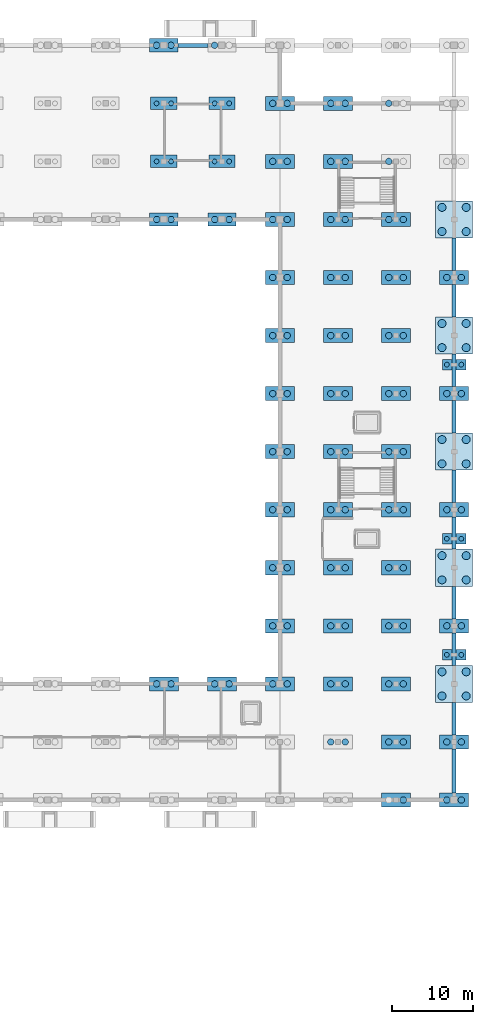
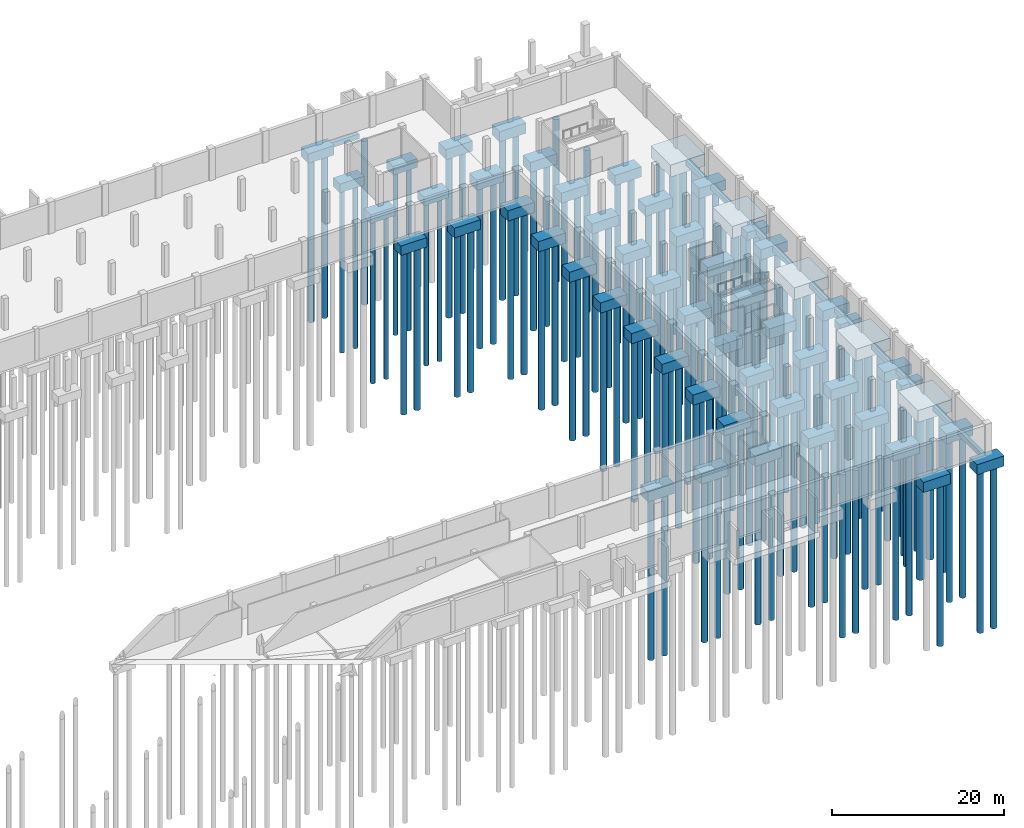
# One storey, part 5 of 18: 126 piles, 67 footings.
"""IFC4 building model written with IfcOpenShell, lengths in metres."""

from ifc_helpers import new_model, si_unit, direction, frame, origin, origin_2d, place, context, subcontext, project, spatial, rectangle, circle, extrude, material, material_profile, profile_set, type_object, element, save


model = new_model("IFC4")

# Units and contexts
model_context = context("Model", 3, precision=1e-05, world=origin(), true_north=direction((0.0, 1.0)))
body_context = subcontext(model_context, "Body", "Model", "MODEL_VIEW")
ifc_project = project(units=[si_unit("LENGTHUNIT", "METRE"), si_unit("AREAUNIT", "SQUARE_METRE"), si_unit("VOLUMEUNIT", "CUBIC_METRE"), si_unit("PLANEANGLEUNIT", "RADIAN"), si_unit("MASSUNIT", "GRAM", prefix="KILO")], contexts=[model_context])

# Site, building, storey
site_placement = place(None, origin())
site = spatial("IfcSite", under=ifc_project, at=site_placement, CompositionType="ELEMENT")
building_placement = place(site_placement, origin())
building = spatial("IfcBuilding", under=site, at=building_placement, Name="Kangsadwip Square Police Headquarters", CompositionType="ELEMENT")
storey_placement = place(building_placement, frame((0.0, 0.0, -4.5)))
storey = spatial("IfcBuildingStorey", under=building, at=storey_placement, Name="B1", CompositionType="ELEMENT", Elevation=-4.5)

# Piles
ifc_material_1 = material(Name="Concrete M30 (30 MPa)", Category="concrete")
ifc_material_profile_1 = material_profile(ifc_material_1, circle(Radius=0.5, at=origin_2d()), Name="PILE DIA 1000")
ifc_profile_set_1 = profile_set([ifc_material_profile_1], Name="Concrete M30 (30 MPa)")
pile_type_1 = type_object("IfcPileType", Name="BoredPileDia1000", PredefinedType="BORED", material=ifc_profile_set_1)
for number, where, z_axis, x_axis, name in (
    (1, (164.10009765625, 34.5, -2.050048828125), (0.0, 0.0, -1.0), (1.0, 0.0, 0.0), "Bored Pile PILE-B1-1641-0345"),
    (2, (164.10009765625, 37.5, -2.050048828125), (0.0, 0.0, -1.0), (1.0, 0.0, 0.0), "Bored Pile PILE-B1-1641-0375"),
    (3, (167.10009765625, 34.5, -2.050048828125), (0.0, 0.0, -1.0), (1.0, 0.0, 0.0), "Bored Pile PILE-B1-1671-0345"),
    (4, (167.10009765625, 37.5, -2.050048828125), (0.0, 0.0, -1.0), (1.0, 0.0, 0.0), "Bored Pile PILE-B1-1671-0375"),
    (5, (164.10009765625, 48.89990234375, -2.050048828125), (0.0, 0.0, -1.0), (1.0, 0.0, 0.0), "Bored Pile PILE-B1-1641-0489"),
    (6, (164.10009765625, 51.89990234375, -2.050048828125), (0.0, 0.0, -1.0), (1.0, 0.0, 0.0), "Bored Pile PILE-B1-1641-0519"),
    (7, (167.10009765625, 48.89990234375, -2.050048828125), (0.0, 0.0, -1.0), (1.0, 0.0, 0.0), "Bored Pile PILE-B1-1671-0489"),
    (8, (167.10009765625, 51.89990234375, -2.050048828125), (0.0, 0.0, -1.0), (1.0, 0.0, 0.0), "Bored Pile PILE-B1-1671-0519"),
    (9, (164.10009765625, 63.300048828125, -2.050048828125), (0.0, 0.0, -1.0), (1.0, 0.0, 0.0), "Bored Pile PILE-B1-1641-0633"),
    (10, (164.10009765625, 66.300048828125, -2.050048828125), (0.0, 0.0, -1.0), (1.0, 0.0, 0.0), "Bored Pile PILE-B1-1641-0663"),
    (11, (167.10009765625, 63.300048828125, -2.050048828125), (0.0, 0.0, -1.0), (1.0, 0.0, 0.0), "Bored Pile PILE-B1-1671-0633"),
    (12, (167.10009765625, 66.300048828125, -2.050048828125), (0.0, 0.0, -1.0), (1.0, 0.0, 0.0), "Bored Pile PILE-B1-1671-0663"),
    (13, (164.10009765625, 77.699951171875, -2.050048828125), (0.0, 0.0, -1.0), (1.0, 0.0, 0.0), "Bored Pile PILE-B1-1641-0777"),
    (14, (164.10009765625, 80.699951171875, -2.050048828125), (0.0, 0.0, -1.0), (1.0, 0.0, 0.0), "Bored Pile PILE-B1-1641-0807"),
    (15, (167.10009765625, 77.699951171875, -2.050048828125), (0.0, 0.0, -1.0), (1.0, 0.0, 0.0), "Bored Pile PILE-B1-1671-0777"),
    (16, (167.10009765625, 80.699951171875, -2.050048828125), (0.0, 0.0, -1.0), (1.0, 0.0, 0.0), "Bored Pile PILE-B1-1671-0807"),
    (17, (164.10009765625, 92.10009765625, -2.050048828125), (0.0, 0.0, -1.0), (1.0, 0.0, 0.0), "Bored Pile PILE-B1-1641-0921"),
    (18, (164.10009765625, 95.10009765625, -2.050048828125), (0.0, 0.0, -1.0), (1.0, 0.0, 0.0), "Bored Pile PILE-B1-1641-0951"),
    (19, (167.10009765625, 92.10009765625, -2.050048828125), (0.0, 0.0, -1.0), (1.0, 0.0, 0.0), "Bored Pile PILE-B1-1671-0921"),
    (20, (167.10009765625, 95.10009765625, -2.050048828125), (0.0, 0.0, -1.0), (1.0, 0.0, 0.0), "Bored Pile PILE-B1-1671-0951"),
):
    element("IfcPile", number, at=place(storey_placement, frame(where, z_axis=z_axis, x_axis=x_axis)), inside=storey, type_object=pile_type_1, Name=name, PredefinedType="BORED", context=body_context, shape_type="SweptSolid", body=[
        extrude(circle(Radius=0.5, at=origin_2d()), origin(), (0.0, 0.0, 1.0), 22.949951171875),
    ])
ifc_material_2 = material(Name="Concrete M30 (30 MPa)", Category="concrete")
ifc_material_profile_2 = material_profile(ifc_material_2, circle(Radius=0.300048828125, at=origin_2d()), Name="PILE DIA 600")
ifc_profile_set_2 = profile_set([ifc_material_profile_2], Name="Concrete M30 (30 MPa)")
pile_type_2 = type_object("IfcPileType", Name="BoredPileDia600", PredefinedType="BORED", material=ifc_profile_set_2)
for number, where, z_axis, x_axis, name in (
    (21, (128.699951171875, 100.800048828125, -1.60009765625), (0.0, 0.0, -1.0), (1.0, 0.0, 0.0), "Bored Pile PILE-B1-1287-1008"),
    (22, (130.5, 100.800048828125, -1.60009765625), (0.0, 0.0, -1.0), (1.0, 0.0, 0.0), "Bored Pile PILE-B1-1305-1008"),
    (23, (128.699951171875, 108.0, -1.60009765625), (0.0, 0.0, -1.0), (1.0, 0.0, 0.0), "Bored Pile PILE-B1-1287-1080"),
    (24, (130.5, 108.0, -1.60009765625), (0.0, 0.0, -1.0), (1.0, 0.0, 0.0), "Bored Pile PILE-B1-1305-1080"),
    (25, (135.89990234375, 100.800048828125, -1.60009765625), (0.0, 0.0, -1.0), (1.0, 0.0, 0.0), "Bored Pile PILE-B1-1359-1008"),
    (26, (137.699951171875, 100.800048828125, -1.60009765625), (0.0, 0.0, -1.0), (1.0, 0.0, 0.0), "Bored Pile PILE-B1-1377-1008"),
    (27, (135.89990234375, 108.0, -1.60009765625), (0.0, 0.0, -1.0), (1.0, 0.0, 0.0), "Bored Pile PILE-B1-1359-1080"),
    (28, (137.699951171875, 108.0, -1.60009765625), (0.0, 0.0, -1.0), (1.0, 0.0, 0.0), "Bored Pile PILE-B1-1377-1080"),
):
    element("IfcPile", number, at=place(storey_placement, frame(where, z_axis=z_axis, x_axis=x_axis)), inside=storey, type_object=pile_type_2, Name=name, PredefinedType="BORED", context=body_context, shape_type="SweptSolid", body=[
        extrude(circle(Radius=0.300048828125, at=origin_2d()), origin(), (0.0, 0.0, 1.0), 23.39990234375),
    ])
for number, where, z_axis, x_axis, name in (
    (29, (164.699951171875, 39.60009765625, -1.449951171875), (0.0, 0.0, -1.0), (1.0, 0.0, 0.0), "Bored Pile PILE-B1-1647-0396"),
    (30, (166.5, 39.60009765625, -1.449951171875), (0.0, 0.0, -1.0), (1.0, 0.0, 0.0), "Bored Pile PILE-B1-1665-0396"),
    (31, (164.699951171875, 54.0, -1.449951171875), (0.0, 0.0, -1.0), (1.0, 0.0, 0.0), "Bored Pile PILE-B1-1647-0540"),
    (32, (166.5, 54.0, -1.449951171875), (0.0, 0.0, -1.0), (1.0, 0.0, 0.0), "Bored Pile PILE-B1-1665-0540"),
    (33, (164.699951171875, 75.60009765625, -1.449951171875), (0.0, 0.0, -1.0), (1.0, 0.0, 0.0), "Bored Pile PILE-B1-1647-0756"),
    (34, (166.5, 75.60009765625, -1.449951171875), (0.0, 0.0, -1.0), (1.0, 0.0, 0.0), "Bored Pile PILE-B1-1665-0756"),
):
    element("IfcPile", number, at=place(storey_placement, frame(where, z_axis=z_axis, x_axis=x_axis)), inside=storey, type_object=pile_type_2, Name=name, PredefinedType="BORED", context=body_context, shape_type="SweptSolid", body=[
        extrude(circle(Radius=0.300048828125, at=origin_2d()), origin(), (0.0, 0.0, 1.0), 23.550048828125),
    ])
ifc_material_3 = material(Name="Concrete M30 (30 MPa)", Category="concrete")
ifc_material_profile_3 = material_profile(ifc_material_3, circle(Radius=0.39990234375, at=origin_2d()), Name="PILE DIA 800")
ifc_profile_set_3 = profile_set([ifc_material_profile_3], Name="Concrete M30 (30 MPa)")
pile_type_3 = type_object("IfcPileType", Name="BoredPileDia800", PredefinedType="BORED", material=ifc_profile_set_3)
for number, where, z_axis, x_axis, name in (
    (35, (128.699951171875, 36.0, -1.800048828125), (0.0, 0.0, -1.0), (1.0, 0.0, 0.0), "Bored Pile PILE-B1-1287-0360"),
    (36, (130.5, 36.0, -1.800048828125), (0.0, 0.0, -1.0), (1.0, 0.0, 0.0), "Bored Pile PILE-B1-1305-0360"),
):
    element("IfcPile", number, at=place(storey_placement, frame(where, z_axis=z_axis, x_axis=x_axis)), inside=storey, type_object=pile_type_3, Name=name, PredefinedType="BORED", context=body_context, shape_type="SweptSolid", body=[
        extrude(circle(Radius=0.39990234375, at=origin_2d()), origin(), (0.0, 0.0, 1.0), 23.199951171875),
    ])
for number, where, z_axis, x_axis, name in (
    (37, (128.699951171875, 93.60009765625, -1.699951171875), (0.0, 0.0, -1.0), (1.0, 0.0, 0.0), "Bored Pile PILE-B1-1287-0936"),
    (38, (130.5, 93.60009765625, -1.699951171875), (0.0, 0.0, -1.0), (1.0, 0.0, 0.0), "Bored Pile PILE-B1-1305-0936"),
    (39, (128.699951171875, 115.199951171875, -1.699951171875), (0.0, 0.0, -1.0), (1.0, 0.0, 0.0), "Bored Pile PILE-B1-1287-1152"),
    (40, (130.5, 115.199951171875, -1.699951171875), (0.0, 0.0, -1.0), (1.0, 0.0, 0.0), "Bored Pile PILE-B1-1305-1152"),
):
    element("IfcPile", number, at=place(storey_placement, frame(where, z_axis=z_axis, x_axis=x_axis)), inside=storey, type_object=pile_type_3, Name=name, PredefinedType="BORED", context=body_context, shape_type="SweptSolid", body=[
        extrude(circle(Radius=0.39990234375, at=origin_2d()), origin(), (0.0, 0.0, 1.0), 23.300048828125),
    ])
for number, where, z_axis, x_axis, name in (
    (41, (135.89990234375, 36.0, -1.800048828125), (0.0, 0.0, -1.0), (1.0, 0.0, 0.0), "Bored Pile PILE-B1-1359-0360"),
    (42, (137.699951171875, 36.0, -1.800048828125), (0.0, 0.0, -1.0), (1.0, 0.0, 0.0), "Bored Pile PILE-B1-1377-0360"),
):
    element("IfcPile", number, at=place(storey_placement, frame(where, z_axis=z_axis, x_axis=x_axis)), inside=storey, type_object=pile_type_3, Name=name, PredefinedType="BORED", context=body_context, shape_type="SweptSolid", body=[
        extrude(circle(Radius=0.39990234375, at=origin_2d()), origin(), (0.0, 0.0, 1.0), 23.199951171875),
    ])
for number, where, z_axis, x_axis, name in (
    (43, (135.89990234375, 93.60009765625, -1.699951171875), (0.0, 0.0, -1.0), (1.0, 0.0, 0.0), "Bored Pile PILE-B1-1359-0936"),
    (44, (137.699951171875, 93.60009765625, -1.699951171875), (0.0, 0.0, -1.0), (1.0, 0.0, 0.0), "Bored Pile PILE-B1-1377-0936"),
    (45, (135.89990234375, 115.199951171875, -1.699951171875), (0.0, 0.0, -1.0), (1.0, 0.0, 0.0), "Bored Pile PILE-B1-1359-1152"),
):
    element("IfcPile", number, at=place(storey_placement, frame(where, z_axis=z_axis, x_axis=x_axis)), inside=storey, type_object=pile_type_3, Name=name, PredefinedType="BORED", context=body_context, shape_type="SweptSolid", body=[
        extrude(circle(Radius=0.39990234375, at=origin_2d()), origin(), (0.0, 0.0, 1.0), 23.300048828125),
    ])
for number, where, z_axis, x_axis, name in (
    (46, (143.10009765625, 36.0, -1.800048828125), (0.0, 0.0, -1.0), (1.0, 0.0, 0.0), "Bored Pile PILE-B1-1431-0360"),
    (47, (144.89990234375, 36.0, -1.800048828125), (0.0, 0.0, -1.0), (1.0, 0.0, 0.0), "Bored Pile PILE-B1-1449-0360"),
    (48, (143.10009765625, 43.199951171875, -1.800048828125), (0.0, 0.0, -1.0), (1.0, 0.0, 0.0), "Bored Pile PILE-B1-1431-0432"),
    (49, (144.89990234375, 43.199951171875, -1.800048828125), (0.0, 0.0, -1.0), (1.0, 0.0, 0.0), "Bored Pile PILE-B1-1449-0432"),
    (50, (143.10009765625, 50.39990234375, -1.800048828125), (0.0, 0.0, -1.0), (1.0, 0.0, 0.0), "Bored Pile PILE-B1-1431-0504"),
    (51, (144.89990234375, 50.39990234375, -1.800048828125), (0.0, 0.0, -1.0), (1.0, 0.0, 0.0), "Bored Pile PILE-B1-1449-0504"),
    (52, (143.10009765625, 57.60009765625, -1.800048828125), (0.0, 0.0, -1.0), (1.0, 0.0, 0.0), "Bored Pile PILE-B1-1431-0576"),
    (53, (144.89990234375, 57.60009765625, -1.800048828125), (0.0, 0.0, -1.0), (1.0, 0.0, 0.0), "Bored Pile PILE-B1-1449-0576"),
    (54, (143.10009765625, 64.800048828125, -1.800048828125), (0.0, 0.0, -1.0), (1.0, 0.0, 0.0), "Bored Pile PILE-B1-1431-0648"),
    (55, (144.89990234375, 64.800048828125, -1.800048828125), (0.0, 0.0, -1.0), (1.0, 0.0, 0.0), "Bored Pile PILE-B1-1449-0648"),
    (56, (143.10009765625, 72.0, -1.800048828125), (0.0, 0.0, -1.0), (1.0, 0.0, 0.0), "Bored Pile PILE-B1-1431-0720"),
    (57, (144.89990234375, 72.0, -1.800048828125), (0.0, 0.0, -1.0), (1.0, 0.0, 0.0), "Bored Pile PILE-B1-1449-0720"),
    (58, (143.10009765625, 79.199951171875, -1.800048828125), (0.0, 0.0, -1.0), (1.0, 0.0, 0.0), "Bored Pile PILE-B1-1431-0792"),
    (59, (144.89990234375, 79.199951171875, -1.800048828125), (0.0, 0.0, -1.0), (1.0, 0.0, 0.0), "Bored Pile PILE-B1-1449-0792"),
    (60, (143.10009765625, 86.39990234375, -1.800048828125), (0.0, 0.0, -1.0), (1.0, 0.0, 0.0), "Bored Pile PILE-B1-1431-0864"),
    (61, (144.89990234375, 86.39990234375, -1.800048828125), (0.0, 0.0, -1.0), (1.0, 0.0, 0.0), "Bored Pile PILE-B1-1449-0864"),
    (62, (143.10009765625, 93.60009765625, -1.800048828125), (0.0, 0.0, -1.0), (1.0, 0.0, 0.0), "Bored Pile PILE-B1-1431-0936"),
    (63, (144.89990234375, 93.60009765625, -1.800048828125), (0.0, 0.0, -1.0), (1.0, 0.0, 0.0), "Bored Pile PILE-B1-1449-0936"),
    (64, (143.10009765625, 100.800048828125, -1.800048828125), (0.0, 0.0, -1.0), (1.0, 0.0, 0.0), "Bored Pile PILE-B1-1431-1008"),
    (65, (144.89990234375, 100.800048828125, -1.800048828125), (0.0, 0.0, -1.0), (1.0, 0.0, 0.0), "Bored Pile PILE-B1-1449-1008"),
    (66, (143.10009765625, 108.0, -1.800048828125), (0.0, 0.0, -1.0), (1.0, 0.0, 0.0), "Bored Pile PILE-B1-1431-1080"),
    (67, (144.89990234375, 108.0, -1.800048828125), (0.0, 0.0, -1.0), (1.0, 0.0, 0.0), "Bored Pile PILE-B1-1449-1080"),
    (68, (150.300048828125, 28.800048828125, -1.800048828125), (0.0, 0.0, -1.0), (1.0, 0.0, 0.0), "Bored Pile PILE-B1-1503-0288"),
    (69, (152.10009765625, 28.800048828125, -1.800048828125), (0.0, 0.0, -1.0), (1.0, 0.0, 0.0), "Bored Pile PILE-B1-1521-0288"),
    (70, (150.300048828125, 36.0, -1.800048828125), (0.0, 0.0, -1.0), (1.0, 0.0, 0.0), "Bored Pile PILE-B1-1503-0360"),
    (71, (152.10009765625, 36.0, -1.800048828125), (0.0, 0.0, -1.0), (1.0, 0.0, 0.0), "Bored Pile PILE-B1-1521-0360"),
    (72, (150.300048828125, 43.199951171875, -1.800048828125), (0.0, 0.0, -1.0), (1.0, 0.0, 0.0), "Bored Pile PILE-B1-1503-0432"),
    (73, (152.10009765625, 43.199951171875, -1.800048828125), (0.0, 0.0, -1.0), (1.0, 0.0, 0.0), "Bored Pile PILE-B1-1521-0432"),
    (74, (150.300048828125, 50.39990234375, -1.800048828125), (0.0, 0.0, -1.0), (1.0, 0.0, 0.0), "Bored Pile PILE-B1-1503-0504"),
    (75, (152.10009765625, 50.39990234375, -1.800048828125), (0.0, 0.0, -1.0), (1.0, 0.0, 0.0), "Bored Pile PILE-B1-1521-0504"),
    (76, (150.300048828125, 57.60009765625, -1.800048828125), (0.0, 0.0, -1.0), (1.0, 0.0, 0.0), "Bored Pile PILE-B1-1503-0576"),
    (77, (152.10009765625, 57.60009765625, -1.800048828125), (0.0, 0.0, -1.0), (1.0, 0.0, 0.0), "Bored Pile PILE-B1-1521-0576"),
    (78, (150.300048828125, 64.800048828125, -1.800048828125), (0.0, 0.0, -1.0), (1.0, 0.0, 0.0), "Bored Pile PILE-B1-1503-0648"),
    (79, (152.10009765625, 64.800048828125, -1.800048828125), (0.0, 0.0, -1.0), (1.0, 0.0, 0.0), "Bored Pile PILE-B1-1521-0648"),
    (80, (150.300048828125, 72.0, -1.800048828125), (0.0, 0.0, -1.0), (1.0, 0.0, 0.0), "Bored Pile PILE-B1-1503-0720"),
    (81, (152.10009765625, 72.0, -1.800048828125), (0.0, 0.0, -1.0), (1.0, 0.0, 0.0), "Bored Pile PILE-B1-1521-0720"),
    (82, (150.300048828125, 79.199951171875, -1.800048828125), (0.0, 0.0, -1.0), (1.0, 0.0, 0.0), "Bored Pile PILE-B1-1503-0792"),
    (83, (152.10009765625, 79.199951171875, -1.800048828125), (0.0, 0.0, -1.0), (1.0, 0.0, 0.0), "Bored Pile PILE-B1-1521-0792"),
    (84, (150.300048828125, 86.39990234375, -1.800048828125), (0.0, 0.0, -1.0), (1.0, 0.0, 0.0), "Bored Pile PILE-B1-1503-0864"),
    (85, (152.10009765625, 86.39990234375, -1.800048828125), (0.0, 0.0, -1.0), (1.0, 0.0, 0.0), "Bored Pile PILE-B1-1521-0864"),
    (86, (150.300048828125, 93.60009765625, -1.800048828125), (0.0, 0.0, -1.0), (1.0, 0.0, 0.0), "Bored Pile PILE-B1-1503-0936"),
    (87, (152.10009765625, 93.60009765625, -1.800048828125), (0.0, 0.0, -1.0), (1.0, 0.0, 0.0), "Bored Pile PILE-B1-1521-0936"),
    (88, (150.300048828125, 100.800048828125, -1.800048828125), (0.0, 0.0, -1.0), (1.0, 0.0, 0.0), "Bored Pile PILE-B1-1503-1008"),
    (89, (152.10009765625, 100.800048828125, -1.800048828125), (0.0, 0.0, -1.0), (1.0, 0.0, 0.0), "Bored Pile PILE-B1-1521-1008"),
    (90, (150.300048828125, 108.0, -1.800048828125), (0.0, 0.0, -1.0), (1.0, 0.0, 0.0), "Bored Pile PILE-B1-1503-1080"),
    (91, (152.10009765625, 108.0, -1.800048828125), (0.0, 0.0, -1.0), (1.0, 0.0, 0.0), "Bored Pile PILE-B1-1521-1080"),
    (92, (159.300048828125, 21.60009765625, -1.800048828125), (0.0, 0.0, -1.0), (1.0, 0.0, 0.0), "Bored Pile PILE-B1-1593-0216"),
    (93, (157.5, 28.800048828125, -1.800048828125), (0.0, 0.0, -1.0), (1.0, 0.0, 0.0), "Bored Pile PILE-B1-1575-0288"),
    (94, (159.300048828125, 28.800048828125, -1.800048828125), (0.0, 0.0, -1.0), (1.0, 0.0, 0.0), "Bored Pile PILE-B1-1593-0288"),
    (95, (157.5, 36.0, -1.800048828125), (0.0, 0.0, -1.0), (1.0, 0.0, 0.0), "Bored Pile PILE-B1-1575-0360"),
    (96, (159.300048828125, 36.0, -1.800048828125), (0.0, 0.0, -1.0), (1.0, 0.0, 0.0), "Bored Pile PILE-B1-1593-0360"),
    (97, (157.5, 43.199951171875, -1.800048828125), (0.0, 0.0, -1.0), (1.0, 0.0, 0.0), "Bored Pile PILE-B1-1575-0432"),
    (98, (159.300048828125, 43.199951171875, -1.800048828125), (0.0, 0.0, -1.0), (1.0, 0.0, 0.0), "Bored Pile PILE-B1-1593-0432"),
    (99, (157.5, 50.39990234375, -1.800048828125), (0.0, 0.0, -1.0), (1.0, 0.0, 0.0), "Bored Pile PILE-B1-1575-0504"),
    (100, (159.300048828125, 50.39990234375, -1.800048828125), (0.0, 0.0, -1.0), (1.0, 0.0, 0.0), "Bored Pile PILE-B1-1593-0504"),
    (101, (157.5, 57.60009765625, -1.800048828125), (0.0, 0.0, -1.0), (1.0, 0.0, 0.0), "Bored Pile PILE-B1-1575-0576"),
    (102, (159.300048828125, 57.60009765625, -1.800048828125), (0.0, 0.0, -1.0), (1.0, 0.0, 0.0), "Bored Pile PILE-B1-1593-0576"),
    (103, (157.5, 64.800048828125, -1.800048828125), (0.0, 0.0, -1.0), (1.0, 0.0, 0.0), "Bored Pile PILE-B1-1575-0648"),
    (104, (159.300048828125, 64.800048828125, -1.800048828125), (0.0, 0.0, -1.0), (1.0, 0.0, 0.0), "Bored Pile PILE-B1-1593-0648"),
    (105, (157.5, 72.0, -1.800048828125), (0.0, 0.0, -1.0), (1.0, 0.0, 0.0), "Bored Pile PILE-B1-1575-0720"),
    (106, (159.300048828125, 72.0, -1.800048828125), (0.0, 0.0, -1.0), (1.0, 0.0, 0.0), "Bored Pile PILE-B1-1593-0720"),
    (107, (157.5, 79.199951171875, -1.800048828125), (0.0, 0.0, -1.0), (1.0, 0.0, 0.0), "Bored Pile PILE-B1-1575-0792"),
    (108, (159.300048828125, 79.199951171875, -1.800048828125), (0.0, 0.0, -1.0), (1.0, 0.0, 0.0), "Bored Pile PILE-B1-1593-0792"),
    (109, (157.5, 86.39990234375, -1.800048828125), (0.0, 0.0, -1.0), (1.0, 0.0, 0.0), "Bored Pile PILE-B1-1575-0864"),
    (110, (159.300048828125, 86.39990234375, -1.800048828125), (0.0, 0.0, -1.0), (1.0, 0.0, 0.0), "Bored Pile PILE-B1-1593-0864"),
    (111, (157.5, 93.60009765625, -1.800048828125), (0.0, 0.0, -1.0), (1.0, 0.0, 0.0), "Bored Pile PILE-B1-1575-0936"),
    (112, (159.300048828125, 93.60009765625, -1.800048828125), (0.0, 0.0, -1.0), (1.0, 0.0, 0.0), "Bored Pile PILE-B1-1593-0936"),
    (113, (157.5, 100.800048828125, -1.800048828125), (0.0, 0.0, -1.0), (1.0, 0.0, 0.0), "Bored Pile PILE-B1-1575-1008"),
    (114, (157.5, 108.0, -1.800048828125), (0.0, 0.0, -1.0), (1.0, 0.0, 0.0), "Bored Pile PILE-B1-1575-1080"),
    (115, (164.699951171875, 21.60009765625, -1.800048828125), (0.0, 0.0, -1.0), (1.0, 0.0, 0.0), "Bored Pile PILE-B1-1647-0216"),
    (116, (166.5, 21.60009765625, -1.800048828125), (0.0, 0.0, -1.0), (1.0, 0.0, 0.0), "Bored Pile PILE-B1-1665-0216"),
    (117, (164.699951171875, 28.800048828125, -1.800048828125), (0.0, 0.0, -1.0), (1.0, 0.0, 0.0), "Bored Pile PILE-B1-1647-0288"),
    (118, (166.5, 28.800048828125, -1.800048828125), (0.0, 0.0, -1.0), (1.0, 0.0, 0.0), "Bored Pile PILE-B1-1665-0288"),
    (119, (164.699951171875, 43.199951171875, -1.800048828125), (0.0, 0.0, -1.0), (1.0, 0.0, 0.0), "Bored Pile PILE-B1-1647-0432"),
    (120, (166.5, 43.199951171875, -1.800048828125), (0.0, 0.0, -1.0), (1.0, 0.0, 0.0), "Bored Pile PILE-B1-1665-0432"),
    (121, (164.699951171875, 57.60009765625, -1.800048828125), (0.0, 0.0, -1.0), (1.0, 0.0, 0.0), "Bored Pile PILE-B1-1647-0576"),
    (122, (166.5, 57.60009765625, -1.800048828125), (0.0, 0.0, -1.0), (1.0, 0.0, 0.0), "Bored Pile PILE-B1-1665-0576"),
    (123, (164.699951171875, 72.0, -1.800048828125), (0.0, 0.0, -1.0), (1.0, 0.0, 0.0), "Bored Pile PILE-B1-1647-0720"),
    (124, (166.5, 72.0, -1.800048828125), (0.0, 0.0, -1.0), (1.0, 0.0, 0.0), "Bored Pile PILE-B1-1665-0720"),
    (125, (164.699951171875, 86.39990234375, -1.800048828125), (0.0, 0.0, -1.0), (1.0, 0.0, 0.0), "Bored Pile PILE-B1-1647-0864"),
    (126, (166.5, 86.39990234375, -1.800048828125), (0.0, 0.0, -1.0), (1.0, 0.0, 0.0), "Bored Pile PILE-B1-1665-0864"),
):
    element("IfcPile", number, at=place(storey_placement, frame(where, z_axis=z_axis, x_axis=x_axis)), inside=storey, type_object=pile_type_3, Name=name, PredefinedType="BORED", context=body_context, shape_type="SweptSolid", body=[
        extrude(circle(Radius=0.39990234375, at=origin_2d()), origin(), (0.0, 0.0, 1.0), 23.199951171875),
    ])

# Footings
ifc_material_4 = material(Name="Concrete M35 (35 MPa)", Category="concrete")
footing_type_1 = type_object("IfcFootingType", Name="PileCap2P2900x1300x1100", PredefinedType="PILE_CAP", material=ifc_material_4)
for number, where, z_axis, x_axis, name in (
    (127, (165.60009765625, 39.60009765625, -1.550048828125), (0.0, 0.0, 1.0), (1.0, 0.0, 0.0), "Pile Cap PC-B1-252"),
    (128, (165.60009765625, 54.0, -1.550048828125), (0.0, 0.0, 1.0), (1.0, 0.0, 0.0), "Pile Cap PC-B1-253"),
    (129, (165.60009765625, 75.60009765625, -1.550048828125), (0.0, 0.0, 1.0), (1.0, 0.0, 0.0), "Pile Cap PC-B1-254"),
):
    element("IfcFooting", number, at=place(storey_placement, frame(where, z_axis=z_axis, x_axis=x_axis)), inside=storey, type_object=footing_type_1, Name=name, PredefinedType="PILE_CAP", context=body_context, shape_type="SweptSolid", body=[
        extrude(rectangle(XDim=2.89990234375, YDim=1.300048828125, at=origin_2d()), origin(), (0.0, 0.0, 1.0), 1.10009765625),
    ])
ifc_material_5 = material(Name="Concrete M35 (35 MPa)", Category="concrete")
footing_type_2 = type_object("IfcFootingType", Name="PileCap2P3250x1550x1250", PredefinedType="PILE_CAP", material=ifc_material_5)
for number, where, z_axis, x_axis, name in (
    (130, (129.60009765625, 100.800048828125, -1.699951171875), (0.0, 0.0, 1.0), (1.0, 0.0, 0.0), "Pile Cap PC-B1-183"),
    (131, (129.60009765625, 108.0, -1.699951171875), (0.0, 0.0, 1.0), (1.0, 0.0, 0.0), "Pile Cap PC-B1-184"),
    (132, (136.800048828125, 100.800048828125, -1.699951171875), (0.0, 0.0, 1.0), (1.0, 0.0, 0.0), "Pile Cap PC-B1-190"),
    (133, (136.800048828125, 108.0, -1.699951171875), (0.0, 0.0, 1.0), (1.0, 0.0, 0.0), "Pile Cap PC-B1-191"),
):
    element("IfcFooting", number, at=place(storey_placement, frame(where, z_axis=z_axis, x_axis=x_axis)), inside=storey, type_object=footing_type_2, Name=name, PredefinedType="PILE_CAP", context=body_context, shape_type="SweptSolid", body=[
        extrude(rectangle(XDim=3.25, YDim=1.550048828125, at=origin_2d()), origin(), (0.0, 0.0, 1.0), 1.25),
    ])
ifc_material_6 = material(Name="Concrete M35 (35 MPa)", Category="concrete")
footing_type_3 = type_object("IfcFootingType", Name="PileCap2P3500x1650x1350", PredefinedType="PILE_CAP", material=ifc_material_6)
for number, where, z_axis, x_axis, name in (
    (134, (129.60009765625, 93.60009765625, -1.800048828125), (0.0, 0.0, 1.0), (1.0, 0.0, 0.0), "Pile Cap PC-B1-182"),
    (135, (129.60009765625, 115.199951171875, -1.800048828125), (0.0, 0.0, 1.0), (1.0, 0.0, 0.0), "Pile Cap PC-B1-185"),
    (136, (136.800048828125, 93.60009765625, -1.800048828125), (0.0, 0.0, 1.0), (1.0, 0.0, 0.0), "Pile Cap PC-B1-189"),
):
    element("IfcFooting", number, at=place(storey_placement, frame(where, z_axis=z_axis, x_axis=x_axis)), inside=storey, type_object=footing_type_3, Name=name, PredefinedType="PILE_CAP", context=body_context, shape_type="SweptSolid", body=[
        extrude(rectangle(XDim=3.5, YDim=1.64990234375, at=origin_2d()), origin(), (0.0, 0.0, 1.0), 1.35009765625),
    ])
ifc_material_7 = material(Name="Concrete M35 (35 MPa)", Category="concrete")
footing_type_4 = type_object("IfcFootingType", Name="PileCap2P3600x1750x1450", PredefinedType="PILE_CAP", material=ifc_material_7)
for number, where, z_axis, x_axis, name in (
    (137, (129.60009765625, 36.0, -1.89990234375), (0.0, 0.0, 1.0), (1.0, 0.0, 0.0), "Pile Cap PC-B1-181"),
    (138, (136.800048828125, 36.0, -1.89990234375), (0.0, 0.0, 1.0), (1.0, 0.0, 0.0), "Pile Cap PC-B1-188"),
    (139, (144.0, 36.0, -1.89990234375), (0.0, 0.0, 1.0), (1.0, 0.0, 0.0), "Pile Cap PC-B1-195"),
    (140, (144.0, 43.199951171875, -1.89990234375), (0.0, 0.0, 1.0), (1.0, 0.0, 0.0), "Pile Cap PC-B1-196"),
    (141, (144.0, 50.39990234375, -1.89990234375), (0.0, 0.0, 1.0), (1.0, 0.0, 0.0), "Pile Cap PC-B1-197"),
    (142, (144.0, 57.60009765625, -1.89990234375), (0.0, 0.0, 1.0), (1.0, 0.0, 0.0), "Pile Cap PC-B1-198"),
    (143, (144.0, 64.800048828125, -1.89990234375), (0.0, 0.0, 1.0), (1.0, 0.0, 0.0), "Pile Cap PC-B1-199"),
    (144, (144.0, 72.0, -1.89990234375), (0.0, 0.0, 1.0), (1.0, 0.0, 0.0), "Pile Cap PC-B1-200"),
    (145, (144.0, 79.199951171875, -1.89990234375), (0.0, 0.0, 1.0), (1.0, 0.0, 0.0), "Pile Cap PC-B1-201"),
    (146, (144.0, 86.39990234375, -1.89990234375), (0.0, 0.0, 1.0), (1.0, 0.0, 0.0), "Pile Cap PC-B1-202"),
    (147, (144.0, 93.60009765625, -1.89990234375), (0.0, 0.0, 1.0), (1.0, 0.0, 0.0), "Pile Cap PC-B1-203"),
    (148, (144.0, 100.800048828125, -1.89990234375), (0.0, 0.0, 1.0), (1.0, 0.0, 0.0), "Pile Cap PC-B1-204"),
    (149, (144.0, 108.0, -1.89990234375), (0.0, 0.0, 1.0), (1.0, 0.0, 0.0), "Pile Cap PC-B1-205"),
    (150, (151.199951171875, 36.0, -1.89990234375), (0.0, 0.0, 1.0), (1.0, 0.0, 0.0), "Pile Cap PC-B1-209"),
    (151, (151.199951171875, 43.199951171875, -1.89990234375), (0.0, 0.0, 1.0), (1.0, 0.0, 0.0), "Pile Cap PC-B1-210"),
    (152, (151.199951171875, 50.39990234375, -1.89990234375), (0.0, 0.0, 1.0), (1.0, 0.0, 0.0), "Pile Cap PC-B1-211"),
    (153, (151.199951171875, 57.60009765625, -1.89990234375), (0.0, 0.0, 1.0), (1.0, 0.0, 0.0), "Pile Cap PC-B1-212"),
    (154, (151.199951171875, 64.800048828125, -1.89990234375), (0.0, 0.0, 1.0), (1.0, 0.0, 0.0), "Pile Cap PC-B1-213"),
    (155, (151.199951171875, 72.0, -1.89990234375), (0.0, 0.0, 1.0), (1.0, 0.0, 0.0), "Pile Cap PC-B1-214"),
    (156, (151.199951171875, 79.199951171875, -1.89990234375), (0.0, 0.0, 1.0), (1.0, 0.0, 0.0), "Pile Cap PC-B1-215"),
    (157, (151.199951171875, 86.39990234375, -1.89990234375), (0.0, 0.0, 1.0), (1.0, 0.0, 0.0), "Pile Cap PC-B1-216"),
    (158, (151.199951171875, 93.60009765625, -1.89990234375), (0.0, 0.0, 1.0), (1.0, 0.0, 0.0), "Pile Cap PC-B1-217"),
    (159, (151.199951171875, 100.800048828125, -1.89990234375), (0.0, 0.0, 1.0), (1.0, 0.0, 0.0), "Pile Cap PC-B1-218"),
    (160, (151.199951171875, 108.0, -1.89990234375), (0.0, 0.0, 1.0), (1.0, 0.0, 0.0), "Pile Cap PC-B1-219"),
    (161, (158.39990234375, 21.60009765625, -1.89990234375), (0.0, 0.0, 1.0), (1.0, 0.0, 0.0), "Pile Cap PC-B1-221"),
    (162, (158.39990234375, 28.800048828125, -1.89990234375), (0.0, 0.0, 1.0), (1.0, 0.0, 0.0), "Pile Cap PC-B1-222"),
    (163, (158.39990234375, 36.0, -1.89990234375), (0.0, 0.0, 1.0), (1.0, 0.0, 0.0), "Pile Cap PC-B1-223"),
    (164, (158.39990234375, 43.199951171875, -1.89990234375), (0.0, 0.0, 1.0), (1.0, 0.0, 0.0), "Pile Cap PC-B1-224"),
    (165, (158.39990234375, 50.39990234375, -1.89990234375), (0.0, 0.0, 1.0), (1.0, 0.0, 0.0), "Pile Cap PC-B1-225"),
    (166, (158.39990234375, 57.60009765625, -1.89990234375), (0.0, 0.0, 1.0), (1.0, 0.0, 0.0), "Pile Cap PC-B1-226"),
    (167, (158.39990234375, 64.800048828125, -1.89990234375), (0.0, 0.0, 1.0), (1.0, 0.0, 0.0), "Pile Cap PC-B1-227"),
    (168, (158.39990234375, 72.0, -1.89990234375), (0.0, 0.0, 1.0), (1.0, 0.0, 0.0), "Pile Cap PC-B1-228"),
    (169, (158.39990234375, 79.199951171875, -1.89990234375), (0.0, 0.0, 1.0), (1.0, 0.0, 0.0), "Pile Cap PC-B1-229"),
    (170, (158.39990234375, 86.39990234375, -1.89990234375), (0.0, 0.0, 1.0), (1.0, 0.0, 0.0), "Pile Cap PC-B1-230"),
    (171, (158.39990234375, 93.60009765625, -1.89990234375), (0.0, 0.0, 1.0), (1.0, 0.0, 0.0), "Pile Cap PC-B1-231"),
    (172, (165.60009765625, 21.60009765625, -1.89990234375), (0.0, 0.0, 1.0), (1.0, 0.0, 0.0), "Pile Cap PC-B1-235"),
    (173, (165.60009765625, 28.800048828125, -1.89990234375), (0.0, 0.0, 1.0), (1.0, 0.0, 0.0), "Pile Cap PC-B1-236"),
    (174, (165.60009765625, 43.199951171875, -1.89990234375), (0.0, 0.0, 1.0), (1.0, 0.0, 0.0), "Pile Cap PC-B1-238"),
    (175, (165.60009765625, 57.60009765625, -1.89990234375), (0.0, 0.0, 1.0), (1.0, 0.0, 0.0), "Pile Cap PC-B1-240"),
    (176, (165.60009765625, 72.0, -1.89990234375), (0.0, 0.0, 1.0), (1.0, 0.0, 0.0), "Pile Cap PC-B1-242"),
    (177, (165.60009765625, 86.39990234375, -1.89990234375), (0.0, 0.0, 1.0), (1.0, 0.0, 0.0), "Pile Cap PC-B1-244"),
):
    element("IfcFooting", number, at=place(storey_placement, frame(where, z_axis=z_axis, x_axis=x_axis)), inside=storey, type_object=footing_type_4, Name=name, PredefinedType="PILE_CAP", context=body_context, shape_type="SweptSolid", body=[
        extrude(rectangle(XDim=3.60009765625, YDim=1.75, at=origin_2d()), origin(), (0.0, 0.0, 1.0), 1.449951171875),
    ])
ifc_material_8 = material(Name="Concrete M35 (35 MPa)", Category="concrete")
footing_type_5 = type_object("IfcFootingType", Name="PileCap4P4600x4600x1700", PredefinedType="PILE_CAP", material=ifc_material_8)
for number, where, z_axis, x_axis, name in (
    (178, (165.60009765625, 36.0, -2.14990234375), (0.0, 0.0, 1.0), (1.0, 0.0, 0.0), "Pile Cap PC-B1-237"),
    (179, (165.60009765625, 50.39990234375, -2.14990234375), (0.0, 0.0, 1.0), (1.0, 0.0, 0.0), "Pile Cap PC-B1-239"),
    (180, (165.60009765625, 64.800048828125, -2.14990234375), (0.0, 0.0, 1.0), (1.0, 0.0, 0.0), "Pile Cap PC-B1-241"),
    (181, (165.60009765625, 79.199951171875, -2.14990234375), (0.0, 0.0, 1.0), (1.0, 0.0, 0.0), "Pile Cap PC-B1-243"),
    (182, (165.60009765625, 93.60009765625, -2.14990234375), (0.0, 0.0, 1.0), (1.0, 0.0, 0.0), "Pile Cap PC-B1-245"),
):
    element("IfcFooting", number, at=place(storey_placement, frame(where, z_axis=z_axis, x_axis=x_axis)), inside=storey, type_object=footing_type_5, Name=name, PredefinedType="PILE_CAP", context=body_context, shape_type="SweptSolid", body=[
        extrude(rectangle(XDim=4.60009765625, YDim=4.60009765625, at=origin_2d()), origin(), (0.0, 0.0, 1.0), 1.699951171875),
    ])
ifc_material_9 = material(Name="Concrete M35 (35 MPa)", Category="concrete")
footing_type_6 = type_object("IfcFootingType", Name="TieGroundBeam3700x500", PredefinedType="FOOTING_BEAM", material=ifc_material_9)
footing_1_placement = place(storey_placement, frame((133.199951171875, 115.199951171875, -1.14990234375), z_axis=(0.0, 0.0, 1.0), x_axis=(1.0, 0.0, 0.0)))
element("IfcFooting", 183, at=footing_1_placement, inside=storey, type_object=footing_type_6, Name="Foundation GB-B1-039", PredefinedType="FOOTING_BEAM", context=body_context, shape_type="SweptSolid", body=[
    extrude(rectangle(XDim=3.699951171875, YDim=0.5, at=origin_2d()), origin(), (0.0, 0.0, 1.0), 0.699951171875),
])
ifc_material_10 = material(Name="Concrete M35 (35 MPa)", Category="concrete")
footing_type_7 = type_object("IfcFootingType", Name="TieGroundBeam4025x500", PredefinedType="FOOTING_BEAM", material=ifc_material_10)
for number, where, z_axis, x_axis, name in (
    (184, (165.60009765625, 31.6875, -1.14990234375), (0.0, 0.0, 1.0), (0.0, 1.0, 0.0), "Foundation GB-B1-045"),
    (185, (165.60009765625, 40.3125, -1.14990234375), (0.0, 0.0, 1.0), (0.0, 1.0, 0.0), "Foundation GB-B1-046"),
    (186, (165.60009765625, 46.08740234375, -1.14990234375), (0.0, 0.0, 1.0), (0.0, 1.0, 0.0), "Foundation GB-B1-047"),
    (187, (165.60009765625, 54.71240234375, -1.14990234375), (0.0, 0.0, 1.0), (0.0, 1.0, 0.0), "Foundation GB-B1-048"),
    (188, (165.60009765625, 60.487548828125, -1.14990234375), (0.0, 0.0, 1.0), (0.0, 1.0, 0.0), "Foundation GB-B1-049"),
    (189, (165.60009765625, 69.112548828125, -1.14990234375), (0.0, 0.0, 1.0), (0.0, 1.0, 0.0), "Foundation GB-B1-050"),
    (190, (165.60009765625, 74.887451171875, -1.14990234375), (0.0, 0.0, 1.0), (0.0, 1.0, 0.0), "Foundation GB-B1-051"),
    (191, (165.60009765625, 83.512451171875, -1.14990234375), (0.0, 0.0, 1.0), (0.0, 1.0, 0.0), "Foundation GB-B1-052"),
    (192, (165.60009765625, 89.28759765625, -1.14990234375), (0.0, 0.0, 1.0), (0.0, 1.0, 0.0), "Foundation GB-B1-053"),
):
    element("IfcFooting", number, at=place(storey_placement, frame(where, z_axis=z_axis, x_axis=x_axis)), inside=storey, type_object=footing_type_7, Name=name, PredefinedType="FOOTING_BEAM", context=body_context, shape_type="SweptSolid", body=[
        extrude(rectangle(XDim=4.02490234375, YDim=0.5, at=origin_2d()), origin(), (0.0, 0.0, 1.0), 0.699951171875),
    ])
ifc_material_11 = material(Name="Concrete M35 (35 MPa)", Category="concrete")
footing_type_8 = type_object("IfcFootingType", Name="TieGroundBeam5450x500", PredefinedType="FOOTING_BEAM", material=ifc_material_11)
footing_2_placement = place(storey_placement, frame((165.60009765625, 25.199951171875, -1.14990234375), z_axis=(0.0, 0.0, 1.0), x_axis=(0.0, 1.0, 0.0)))
element("IfcFooting", 193, at=footing_2_placement, inside=storey, type_object=footing_type_8, Name="Foundation GB-B1-044", PredefinedType="FOOTING_BEAM", context=body_context, shape_type="SweptSolid", body=[
    extrude(rectangle(XDim=5.449951171875, YDim=0.5, at=origin_2d()), origin(), (0.0, 0.0, 1.0), 0.699951171875),
])

save(model, "model.ifc")
